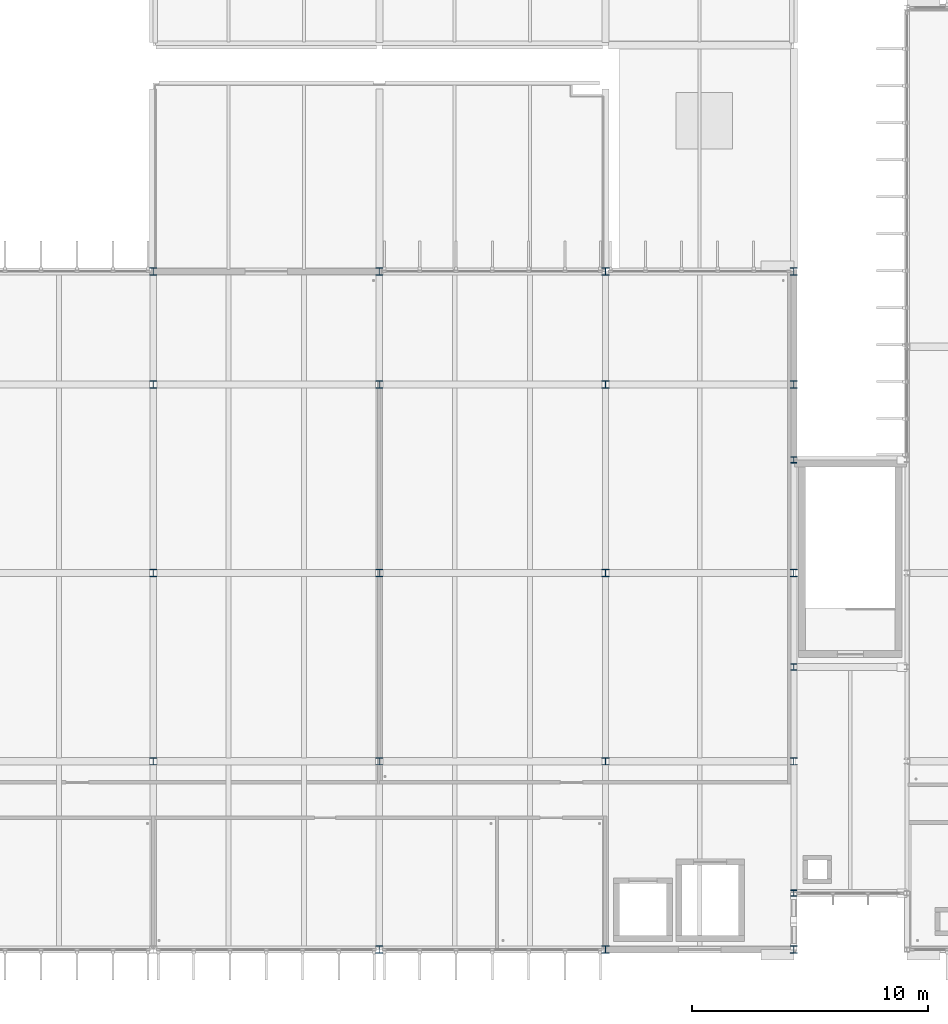
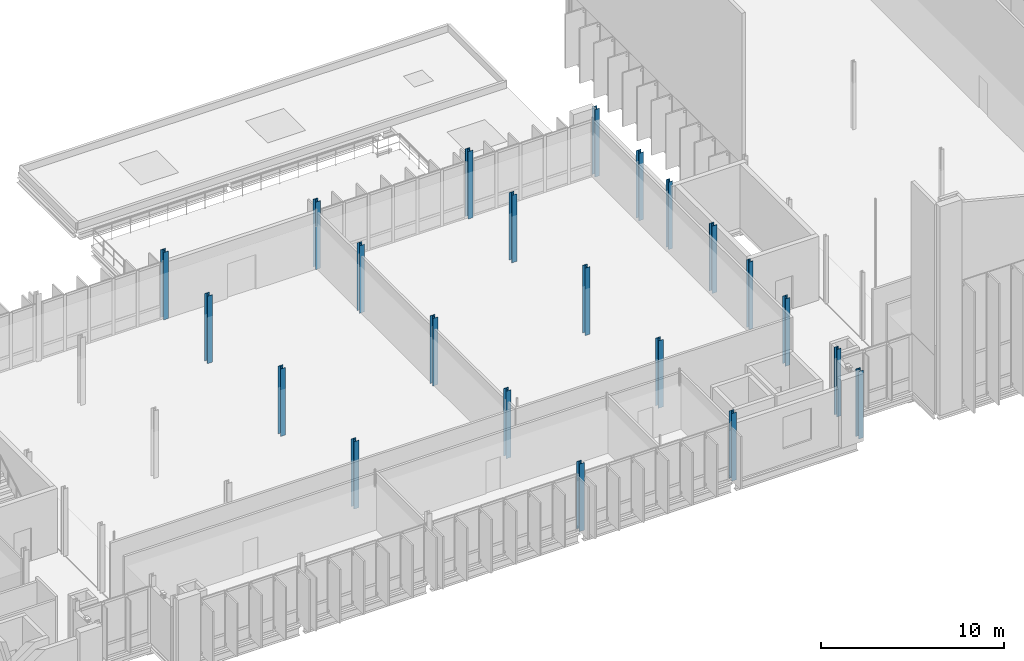
# One storey, part 7 of 110: 22 columns.
"""IFC4 building model written with IfcOpenShell, lengths in metres."""

import ifcopenshell
import ifcopenshell.guid

model = None  # the IFC model being written
_history = None  # IfcOwnerHistory: only IFC2X3 demands one
_inside = {}  # id of a spatial element -> (the spatial element, [elements in it])
_under = {}  # id of a project, library or spatial element -> (it, [spatial elements below it])
_declared = {}  # id of a project -> (the project, [libraries it declares])
_typed = {}  # id of a type object -> (the type object, [elements of that type])
_made_of = {}  # id of a material, layer set ... -> (it, [elements and type objects made of it])


def new_model(schema):
    """Start an empty IFC model of exactly this schema.

    Asked for "IFC4X3", IfcOpenShell would pick the latest addendum, in which some entities
    have other attributes; the version numbers below select the first issue.
    IFC2X3 requires an IfcOwnerHistory on every rooted entity: one is made here for all.
    """
    global model, _history
    if schema == "IFC4X3":
        model = ifcopenshell.file(schema_version=(4, 3, 0, 0))
    else:
        model = ifcopenshell.file(schema=schema)
    _inside.clear()
    _under.clear()
    _declared.clear()
    _typed.clear()
    _made_of.clear()
    _history = None
    if model.schema == "IFC2X3":
        org = make("IfcOrganization", Name="unknown")
        user = make(
            "IfcPersonAndOrganization",
            ThePerson=make("IfcPerson", FamilyName="unknown"),
            TheOrganization=org,
        )
        app = make(
            "IfcApplication",
            ApplicationDeveloper=org,
            Version="unknown",
            ApplicationFullName="unknown",
            ApplicationIdentifier="unknown",
        )
        _history = make(
            "IfcOwnerHistory",
            OwningUser=user,
            OwningApplication=app,
            ChangeAction="ADDED",
            CreationDate=0,
        )
    return model


def make(cls, **values):
    """One entity of the class cls with the attributes given. An attribute that is None is left unset."""
    return model.create_entity(
        cls, **{name: value for name, value in values.items() if value is not None}
    )


def rooted(cls, **values):
    """An entity with a GlobalId (a new one), such as an element, a storey or a relation."""
    return make(cls, GlobalId=ifcopenshell.guid.new(), OwnerHistory=_history, **values)


def si_unit(unit_type, name, prefix=None):
    """IfcSIUnit, for example si_unit("LENGTHUNIT", "METRE", prefix="MILLI")."""
    return make("IfcSIUnit", UnitType=unit_type, Prefix=prefix, Name=name)


def assignment(units):
    """IfcUnitAssignment: the units of a project."""
    return None if units is None else make("IfcUnitAssignment", Units=units)


def point(xyz):
    """IfcCartesianPoint."""
    return None if xyz is None else make("IfcCartesianPoint", Coordinates=xyz)


def direction(xyz):
    """IfcDirection."""
    return None if xyz is None else make("IfcDirection", DirectionRatios=xyz)


def frame(location, z_axis=None, x_axis=None):
    """IfcAxis2Placement3D, a coordinate frame: its origin and axes. An axis left out is left unset."""
    return make(
        "IfcAxis2Placement3D",
        Location=point(location),
        Axis=direction(z_axis),
        RefDirection=direction(x_axis),
    )


def frame_2d(location, x_axis=None):
    """IfcAxis2Placement2D, a coordinate frame in the plane: its origin and x axis."""
    return make(
        "IfcAxis2Placement2D", Location=point(location), RefDirection=direction(x_axis)
    )


def origin():
    """The frame at (0, 0, 0) with its axes left unset."""
    return frame((0.0, 0.0, 0.0))


def origin_2d():
    """The frame at (0, 0) in the plane with its x axis left unset."""
    return frame_2d((0.0, 0.0))


def place(relative_to, where):
    """IfcLocalPlacement: puts the frame where relative to a parent placement (None: the world)."""
    return make(
        "IfcLocalPlacement", PlacementRelTo=relative_to, RelativePlacement=where
    )


def context(
    kind, dimensions, precision=None, world=None, true_north=None, identifier=None
):
    """IfcGeometricRepresentationContext, for example the 3D "Model" context."""
    return make(
        "IfcGeometricRepresentationContext",
        ContextIdentifier=identifier,
        ContextType=kind,
        CoordinateSpaceDimension=dimensions,
        Precision=precision,
        WorldCoordinateSystem=world,
        TrueNorth=true_north,
    )


def subcontext(parent, identifier, kind, view, scale=None):
    """IfcGeometricRepresentationSubContext, for example "Body" below "Model"."""
    return make(
        "IfcGeometricRepresentationSubContext",
        ContextIdentifier=identifier,
        ContextType=kind,
        ParentContext=parent,
        TargetScale=scale,
        TargetView=view,
    )


def project(units=None, contexts=None):
    """IfcProject with its units and contexts."""
    return rooted(
        "IfcProject",
        Name="project",
        RepresentationContexts=contexts,
        UnitsInContext=assignment(units),
    )


def spatial(cls, under=None, at=None, **own):
    """A site, building, storey or space (cls), placed at a placement, below another one or the project."""
    s = rooted(cls, ObjectPlacement=at, **own)
    if under is not None:
        _under.setdefault(under.id(), (under, []))[1].append(s)
    return s


def profile(cls, at=None, kind="AREA", **sizes):
    """A parametric profile (cls). Its sizes go by their IFC names, for example OverallWidth=200.0."""
    return make(cls, ProfileType=kind, Position=at, **sizes)


def i_section(**sizes):
    """IfcIShapeProfileDef."""
    return profile("IfcIShapeProfileDef", **sizes)


def extrude(swept, where, along, depth):
    """IfcExtrudedAreaSolid: the profile swept, set in the frame where, extruded along a direction by depth."""
    return make(
        "IfcExtrudedAreaSolid",
        SweptArea=swept,
        Position=where,
        ExtrudedDirection=direction(along),
        Depth=depth,
    )


def shape(context_of_items, identifier, shape_type, items):
    """IfcShapeRepresentation: the items that make up one representation, for example the "Body"."""
    return make(
        "IfcShapeRepresentation",
        ContextOfItems=context_of_items,
        RepresentationIdentifier=identifier,
        RepresentationType=shape_type,
        Items=items,
    )


def material(Name=None, Category=None):
    """IfcMaterial."""
    return make("IfcMaterial", Name=Name, Category=Category)


def material_profile(
    of_material, cross_section, Name=None, Category=None, Priority=None
):
    """IfcMaterialProfile: a cross section and its material."""
    return make(
        "IfcMaterialProfile",
        Name=Name,
        Material=of_material,
        Profile=cross_section,
        Priority=Priority,
        Category=Category,
    )


def profile_set(profiles, Name=None, composite=None):
    """IfcMaterialProfileSet."""
    return make(
        "IfcMaterialProfileSet",
        Name=Name,
        MaterialProfiles=profiles,
        CompositeProfile=composite,
    )


def made_of(thing, what):
    """Note that an element or type object is made of a material, layer set ...; save() writes the relation."""
    if what is not None:
        _made_of.setdefault(what.id(), (what, []))[1].append(thing)
    return thing


def type_object(cls, material=None, **own):
    """A type object (cls), such as IfcWallType, which elements share."""
    return made_of(rooted(cls, **own), material)


def element(
    cls,
    number,
    at=None,
    inside=None,
    cuts=None,
    type_object=None,
    material=None,
    context=None,
    identifier="Body",
    shape_type=None,
    held_by="IfcProductDefinitionShape",
    body=None,
    shapes=None,
    **own,
):
    """One element of the class cls, such as IfcWall. Its Tag is "e" and its number.

    at: its placement. inside: the storey or other place that contains it. cuts: it is an
    opening in that element (IfcRelVoidsElement). A single representation is given by context,
    identifier, shape_type and body (its items); several are given by shapes. held_by: the class
    of the entity that holds the representations. save() writes the other relations.
    """
    e = rooted(cls, Tag="e%d" % number, ObjectPlacement=at, **own)
    if body is not None:
        shapes = [shape(context, identifier, shape_type, body)]
    if shapes is not None:
        e.Representation = make(held_by, Representations=shapes)
    if inside is not None:
        _inside.setdefault(inside.id(), (inside, []))[1].append(e)
    if cuts is not None:
        rooted(
            "IfcRelVoidsElement", RelatingBuildingElement=cuts, RelatedOpeningElement=e
        )
    if type_object is not None:
        _typed.setdefault(type_object.id(), (type_object, []))[1].append(e)
    return made_of(e, material)


def aggregate(whole, parts):
    """IfcRelAggregates: a whole, such as a stair, and the parts it consists of."""
    return rooted("IfcRelAggregates", RelatingObject=whole, RelatedObjects=parts)


def save(model, path):
    """Write the relations noted so far, then the file.

    IfcRelAggregates (storeys below a building ...), IfcRelContainedInSpatialStructure (elements
    in a storey), IfcRelDefinesByType, IfcRelAssociatesMaterial and IfcRelDeclares: one each for
    every whole, place, type object, material and project.
    """
    for whole, parts in _under.values():
        aggregate(whole, parts)
    for where, things in _inside.values():
        rooted(
            "IfcRelContainedInSpatialStructure",
            RelatedElements=things,
            RelatingStructure=where,
        )
    for kind, things in _typed.values():
        rooted("IfcRelDefinesByType", RelatedObjects=things, RelatingType=kind)
    for what, things in _made_of.values():
        rooted("IfcRelAssociatesMaterial", RelatedObjects=things, RelatingMaterial=what)
    for by, libraries in _declared.values():
        rooted("IfcRelDeclares", RelatingContext=by, RelatedDefinitions=libraries)
    model.write(path)


model = new_model("IFC4")

# Units and contexts
model_context = context("Model", 3, precision=1e-05, world=origin(), true_north=direction((0.0, 1.0)))
body_context = subcontext(model_context, "Body", "Model", "MODEL_VIEW")
ifc_project = project(units=[si_unit("LENGTHUNIT", "METRE"), si_unit("AREAUNIT", "SQUARE_METRE"), si_unit("VOLUMEUNIT", "CUBIC_METRE"), si_unit("PLANEANGLEUNIT", "RADIAN"), si_unit("MASSUNIT", "GRAM", prefix="KILO")], contexts=[model_context])

# Site, building, storey
site_placement = place(None, origin())
site = spatial("IfcSite", under=ifc_project, at=site_placement, CompositionType="ELEMENT")
building_placement = place(site_placement, origin())
building = spatial("IfcBuilding", under=site, at=building_placement, Name="Dunescarp Central Library", CompositionType="ELEMENT")
storey_placement = place(building_placement, frame((0.0, 0.0, 9.60009765625)))
storey = spatial("IfcBuildingStorey", under=building, at=storey_placement, Name="L02", CompositionType="ELEMENT", Elevation=9.60009765625)

# Columns
ifc_material = material(Name="Steel S355JR", Category="steel")
ifc_material_profile_1 = material_profile(ifc_material, i_section(OverallWidth=0.26123046875, OverallDepth=0.2763671875, WebThickness=0.015380859375, FlangeThickness=0.025390625, at=origin_2d()), Name="UC 254x254x132")
ifc_profile_set_1 = profile_set([ifc_material_profile_1], Name="Steel S355JR")
column_type_1 = type_object("IfcColumnType", Name="STR-COL-UC254X132", PredefinedType="COLUMN", material=ifc_profile_set_1)
for number, where, z_axis, x_axis, name in (
    (1, (124.800048828125, 7.199951171875, 0.0), (0.0, 0.0, 1.0), (1.0, 0.0, 0.0), "L02 column V3L-1248-72"),
    (2, (124.800048828125, 16.800048828125, 0.0), (0.0, 0.0, 1.0), (1.0, 0.0, 0.0), "L02 column V3L-1248-168"),
    (3, (124.800048828125, 25.60009765625, 0.0), (0.0, 0.0, 1.0), (1.0, 0.0, 0.0), "L02 column V3L-1248-256"),
):
    element("IfcColumn", number, at=place(storey_placement, frame(where, z_axis=z_axis, x_axis=x_axis)), inside=storey, type_object=column_type_1, Name=name, PredefinedType="COLUMN", context=body_context, shape_type="SweptSolid", body=[
        extrude(i_section(OverallWidth=0.26123046875, OverallDepth=0.2763671875, WebThickness=0.015380859375, FlangeThickness=0.025390625, at=origin_2d()), origin(), (0.0, 0.0, 1.0), 4.5),
    ])
ifc_material_profile_2 = material_profile(ifc_material, i_section(OverallWidth=0.307373046875, OverallDepth=0.314453125, WebThickness=0.011962890625, FlangeThickness=0.018798828125, at=origin_2d()), Name="UC 305x305x118")
ifc_profile_set_2 = profile_set([ifc_material_profile_2], Name="Steel S355JR")
column_type_2 = type_object("IfcColumnType", Name="STR-COL-UC305X118", PredefinedType="COLUMN", material=ifc_profile_set_2)
for number, where, z_axis, x_axis, name in (
    (4, (97.60009765625, 12.800048828125, 0.0), (0.0, 0.0, 1.0), (1.0, 0.0, 0.0), "L02 column V3-976-128"),
    (5, (97.60009765625, 20.800048828125, 0.0), (0.0, 0.0, 1.0), (1.0, 0.0, 0.0), "L02 column V3-976-208"),
    (6, (97.60009765625, 28.800048828125, 0.0), (0.0, 0.0, 1.0), (1.0, 0.0, 0.0), "L02 column V3-976-288"),
    (7, (97.60009765625, 33.60009765625, 0.0), (0.0, 0.0, 1.0), (1.0, 0.0, 0.0), "L02 column V3-976-336"),
    (8, (107.199951171875, 4.800048828125, 0.0), (0.0, 0.0, 1.0), (1.0, 0.0, 0.0), "L02 column V3-1072-48"),
    (9, (107.199951171875, 12.800048828125, 0.0), (0.0, 0.0, 1.0), (1.0, 0.0, 0.0), "L02 column V3-1072-128"),
    (10, (107.199951171875, 20.800048828125, 0.0), (0.0, 0.0, 1.0), (1.0, 0.0, 0.0), "L02 column V3-1072-208"),
    (11, (107.199951171875, 28.800048828125, 0.0), (0.0, 0.0, 1.0), (1.0, 0.0, 0.0), "L02 column V3-1072-288"),
    (12, (107.199951171875, 33.60009765625, 0.0), (0.0, 0.0, 1.0), (1.0, 0.0, 0.0), "L02 column V3-1072-336"),
    (13, (116.800048828125, 4.800048828125, 0.0), (0.0, 0.0, 1.0), (1.0, 0.0, 0.0), "L02 column V3-1168-48"),
    (14, (116.800048828125, 12.800048828125, 0.0), (0.0, 0.0, 1.0), (1.0, 0.0, 0.0), "L02 column V3-1168-128"),
    (15, (116.800048828125, 20.800048828125, 0.0), (0.0, 0.0, 1.0), (1.0, 0.0, 0.0), "L02 column V3-1168-208"),
    (16, (116.800048828125, 28.800048828125, 0.0), (0.0, 0.0, 1.0), (1.0, 0.0, 0.0), "L02 column V3-1168-288"),
    (17, (116.800048828125, 33.60009765625, 0.0), (0.0, 0.0, 1.0), (1.0, 0.0, 0.0), "L02 column V3-1168-336"),
    (18, (124.800048828125, 4.800048828125, 0.0), (0.0, 0.0, 1.0), (1.0, 0.0, 0.0), "L02 column V3-1248-48"),
    (19, (124.800048828125, 12.800048828125, 0.0), (0.0, 0.0, 1.0), (1.0, 0.0, 0.0), "L02 column V3-1248-128"),
    (20, (124.800048828125, 20.800048828125, 0.0), (0.0, 0.0, 1.0), (1.0, 0.0, 0.0), "L02 column V3-1248-208"),
    (21, (124.800048828125, 28.800048828125, 0.0), (0.0, 0.0, 1.0), (1.0, 0.0, 0.0), "L02 column V3-1248-288"),
    (22, (124.800048828125, 33.60009765625, 0.0), (0.0, 0.0, 1.0), (1.0, 0.0, 0.0), "L02 column V3-1248-336"),
):
    element("IfcColumn", number, at=place(storey_placement, frame(where, z_axis=z_axis, x_axis=x_axis)), inside=storey, type_object=column_type_2, Name=name, PredefinedType="COLUMN", context=body_context, shape_type="SweptSolid", body=[
        extrude(i_section(OverallWidth=0.307373046875, OverallDepth=0.314453125, WebThickness=0.011962890625, FlangeThickness=0.018798828125, at=origin_2d()), origin(), (0.0, 0.0, 1.0), 4.5),
    ])

save(model, "model.ifc")
